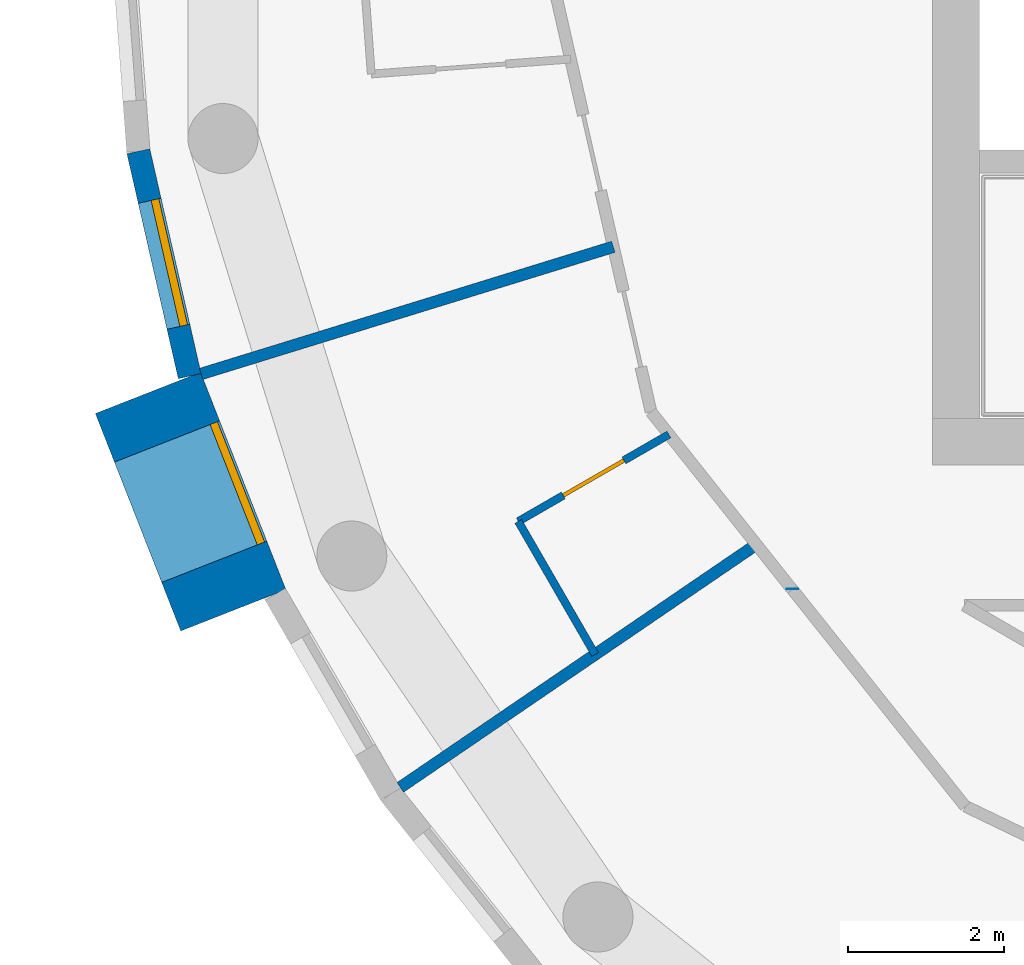
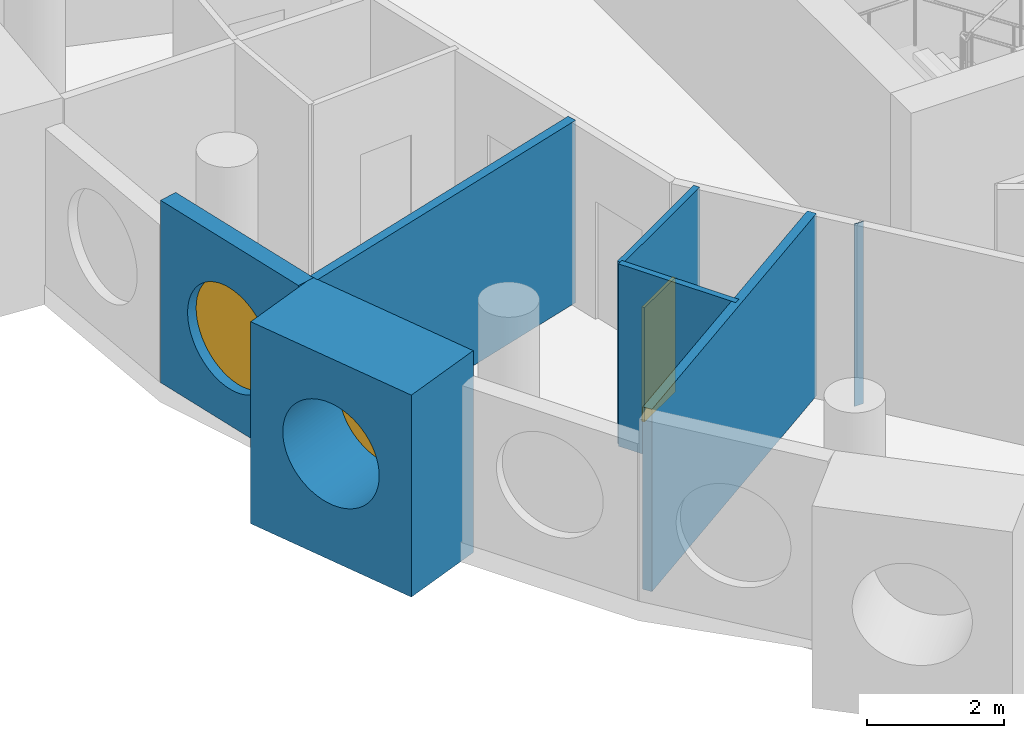
# One storey, part 2 of 12: 7 walls, 2 windows, 1 door, 3 openings.
"""IFC4 building model written with IfcOpenShell, lengths in metres."""

from ifc_helpers import new_model, si_unit, direction, frame, frame_2d, origin, origin_2d, place, context, subcontext, project, spatial, rectangle, circle, extrude, material, layer, layer_set, type_object, element, fill, save


model = new_model("IFC4")

# Units and contexts
model_context = context("Model", 3, precision=1e-05, world=origin(), true_north=direction((0.0, 1.0)))
body_context = subcontext(model_context, "Body", "Model", "MODEL_VIEW")
ifc_project = project(units=[si_unit("LENGTHUNIT", "METRE"), si_unit("AREAUNIT", "SQUARE_METRE"), si_unit("VOLUMEUNIT", "CUBIC_METRE"), si_unit("PLANEANGLEUNIT", "RADIAN"), si_unit("MASSUNIT", "GRAM", prefix="KILO")], contexts=[model_context])

# Site, building, storey
site_placement = place(None, origin())
site = spatial("IfcSite", under=ifc_project, at=site_placement, CompositionType="ELEMENT")
building_placement = place(site_placement, origin())
building = spatial("IfcBuilding", under=site, at=building_placement, Name="Tracery Tower", CompositionType="ELEMENT")
storey_placement = place(building_placement, frame((0.0, 0.0, 305.39990234375)))
storey = spatial("IfcBuildingStorey", under=building, at=storey_placement, Name="L79", CompositionType="ELEMENT", Elevation=305.39990234375)

# Wall, opening, window
ifc_material_1 = material(Name="Precast concrete C50/60", Category="concrete")
ifc_layer_1 = layer(ifc_material_1, 1.449951171875)
ifc_layer_set_1 = layer_set([ifc_layer_1], Name="Deep-set bay unit 3000 x 3600, slab edge 350")
wall_type_1 = type_object("IfcWallType", Name="Deep-set bay unit 3000 x 3600, slab edge 350", PredefinedType="ELEMENTEDWALL", material=ifc_layer_set_1)
wall_1_placement = place(storey_placement, frame((-19.576171875, -6.071533203125, -0.349853515625), z_axis=(0.0, 0.0, 1.0), x_axis=(0.36537792632, -0.93085926485, 0.0)))
wall_1 = element("IfcWall", 1, at=wall_1_placement, inside=storey, type_object=wall_type_1, Name="Deep-set bay unit 24 at L79", PredefinedType="ELEMENTEDWALL", context=body_context, shape_type="SweptSolid", body=[
    extrude(rectangle(XDim=3.000244140625, YDim=1.449951171875, at=frame_2d((1.5, 0.0))), origin(), (0.0, 0.0, 1.0), 3.599853515625),
])
opening_1_placement = place(wall_1_placement, frame((1.5, 0.0, 1.89990234375)))
opening_1 = element("IfcOpeningElement", 2, at=opening_1_placement, cuts=wall_1, Name="Opening WN1", PredefinedType="OPENING", context=body_context, shape_type="SweptSolid", body=[
    extrude(circle(Radius=0.9000244140625, at=origin_2d()), frame((0.0, 0.73486328125, 0.0), z_axis=(0.0, -1.0, 0.0), x_axis=(1.0, 0.0, 0.0)), (0.0, 0.0, 1.0), 1.469970703125),
])
ifc_material_2 = material(Name="Aluminium frame with tinted double glazing", Category="aluminium")
window_type = type_object("IfcWindowType", Name="Round window 1800", PartitioningType="SINGLE_PANEL", PredefinedType="WINDOW", material=ifc_material_2)
window_1_placement = place(opening_1_placement, origin())
window_1 = element("IfcWindow", 3, at=window_1_placement, inside=storey, type_object=window_type, Name="Round window 24 at L79", OverallHeight=1.800048828125, OverallWidth=1.800048828125, PartitioningType="SINGLE_PANEL", PredefinedType="WINDOW", context=body_context, shape_type="SweptSolid", body=[
    extrude(circle(Radius=0.9000244140625, at=origin_2d()), frame((0.0, 0.69482421875, 0.0), z_axis=(0.0, -1.0, 0.0), x_axis=(1.0, 0.0, 0.0)), (0.0, 0.0, 1.0), 0.10009765625),
])
fill(opening_1, window_1)

ifc_material_3 = material(Name="Precast concrete C50/60", Category="concrete")
ifc_layer_2 = layer(ifc_material_3, 0.300048828125)
ifc_layer_set_2 = layer_set([ifc_layer_2], Name="Facade panel 3000 x 3250")
wall_type_2 = type_object("IfcWallType", Name="Facade panel 3000 x 3250", PredefinedType="SOLIDWALL", material=ifc_layer_set_2)
wall_2_placement = place(storey_placement, frame((-19.69921875, -2.96923828125, 0.0), z_axis=(0.0, 0.0, 1.0), x_axis=(0.222529389789, -0.974925982155, 0.0)))
wall_2 = element("IfcWall", 4, at=wall_2_placement, inside=storey, type_object=wall_type_2, Name="Facade panel 23 at L79", PredefinedType="SOLIDWALL", context=body_context, shape_type="SweptSolid", body=[
    extrude(rectangle(XDim=2.962158203125, YDim=0.300048828125, at=frame_2d((1.48095703125, 0.0))), origin(), (0.0, 0.0, 1.0), 3.25),
])
opening_2_placement = place(wall_2_placement, frame((1.48095703125, 0.0, 1.5498046875)))
opening_2 = element("IfcOpeningElement", 5, at=opening_2_placement, cuts=wall_2, Name="Opening WN1", PredefinedType="OPENING", context=body_context, shape_type="SweptSolid", body=[
    extrude(circle(Radius=0.9000244140625, at=origin_2d()), frame((0.0, 0.159912109375, 0.0), z_axis=(0.0, -1.0, 0.0), x_axis=(1.0, 0.0, 0.0)), (0.0, 0.0, 1.0), 0.320068359375),
])
window_2_placement = place(opening_2_placement, origin())
window_2 = element("IfcWindow", 6, at=window_2_placement, inside=storey, type_object=window_type, Name="Round window 23 at L79", OverallHeight=1.800048828125, OverallWidth=1.800048828125, PartitioningType="SINGLE_PANEL", PredefinedType="WINDOW", context=body_context, shape_type="SweptSolid", body=[
    extrude(circle(Radius=0.9000244140625, at=origin_2d()), frame((0.0, 0.1201171875, 0.0), z_axis=(0.0, -1.0, 0.0), x_axis=(1.0, 0.0, 0.0)), (0.0, 0.0, 1.0), 0.10009765625),
])
fill(opening_2, window_2)

# Wall, opening, door
ifc_material_4 = material(Name="Plasterboard on steel studs", Category="steel")
ifc_layer_3 = layer(ifc_material_4, 0.10009765625)
ifc_layer_set_3 = layer_set([ifc_layer_3], Name="Partition 100 wet wall")
wall_type_3 = type_object("IfcWallType", Name="Partition 100 wet wall", PredefinedType="PARTITIONING", material=ifc_layer_set_3)
wall_3_placement = place(storey_placement, frame((-14.820068359375, -7.721923828125, 0.0), z_axis=(0.0, 0.0, 1.0), x_axis=(0.866076416361, 0.499911633214, 0.0)))
wall_3 = element("IfcWall", 7, at=wall_3_placement, inside=storey, type_object=wall_type_3, Name="Wet wall RC8-082", PredefinedType="PARTITIONING", context=body_context, shape_type="SweptSolid", body=[
    extrude(rectangle(XDim=2.234375, YDim=0.10009765625, at=frame_2d((1.1171875, 0.0))), origin(), (0.0, 0.0, 1.0), 3.25),
])
opening_3_placement = place(wall_3_placement, frame((0.667236328125, 0.0, 0.0)))
opening_3 = element("IfcOpeningElement", 8, at=opening_3_placement, cuts=wall_3, Name="Opening RC8-27", PredefinedType="OPENING", context=body_context, shape_type="SweptSolid", body=[
    extrude(rectangle(XDim=0.89990234375, YDim=2.0400390625, at=frame_2d((0.449951171875, 1.02001953125))), frame((0.0, 0.050048828125, 0.0), z_axis=(0.0, -1.0, 0.0), x_axis=(1.0, 0.0, 0.0)), (0.0, 0.0, 1.0), 0.10009765625),
])
ifc_material_5 = material(Name="Timber door leaf", Category="wood")
door_type = type_object("IfcDoorType", Name="Door en-suite 900", OperationType="NOTDEFINED", PredefinedType="DOOR", material=ifc_material_5)
door_placement = place(opening_3_placement, origin())
door = element("IfcDoor", 9, at=door_placement, inside=storey, type_object=door_type, Name="En-suite door RC8-27", OperationType="SINGLE_SWING_LEFT", OverallHeight=2.0400390625, OverallWidth=0.89990234375, PredefinedType="DOOR", context=body_context, shape_type="SweptSolid", body=[
    extrude(rectangle(XDim=0.89990234375, YDim=2.0400390625, at=frame_2d((0.449951171875, 1.02001953125))), frame((0.0, 0.02490234375, 0.0), z_axis=(0.0, -1.0, 0.0), x_axis=(1.0, 0.0, 0.0)), (0.0, 0.0, 1.0), 0.050048828125),
])
fill(opening_3, door)

# Walls
wall_4_placement = place(storey_placement, frame((-14.820068359375, -7.721923828125, 0.0), z_axis=(0.0, 0.0, 1.0), x_axis=(0.500143626598, -0.865942465048, 0.0)))
element("IfcWall", 10, at=wall_4_placement, inside=storey, type_object=wall_type_3, Name="Wet wall RC8-083", PredefinedType="PARTITIONING", context=body_context, shape_type="SweptSolid", body=[
    extrude(rectangle(XDim=1.9736328125, YDim=0.10009765625, at=frame_2d((0.98681640625, 0.0))), origin(), (0.0, 0.0, 1.0), 3.25),
])
ifc_material_6 = material(Name="Plasterboard on steel studs", Category="steel")
ifc_layer_4 = layer(ifc_material_6, 0.14990234375)
ifc_layer_set_4 = layer_set([ifc_layer_4], Name="Partition 150 acoustic unit wall")
wall_type_4 = type_object("IfcWallType", Name="Partition 150 acoustic unit wall", PredefinedType="PARTITIONING", material=ifc_layer_set_4)
wall_5_placement = place(storey_placement, frame((-18.89306640625, -5.827880859375, 0.0), z_axis=(0.0, 0.0, 1.0), x_axis=(0.955580602693, 0.294729896274, 0.0)))
element("IfcWall", 11, at=wall_5_placement, inside=storey, type_object=wall_type_4, Name="Unit wall RC8-081", PredefinedType="PARTITIONING", context=body_context, shape_type="SweptSolid", body=[
    extrude(rectangle(XDim=5.5400390625, YDim=0.14990234375, at=frame_2d((2.77001953125, 0.0))), origin(), (0.0, 0.0, 1.0), 3.25),
])
wall_6_placement = place(storey_placement, frame((-16.3359375, -11.137939453125, 0.0), z_axis=(0.0, 0.0, 1.0), x_axis=(0.82615274451, 0.563446219917, 0.0)))
element("IfcWall", 12, at=wall_6_placement, inside=storey, type_object=wall_type_4, Name="Unit wall RC8-084", PredefinedType="PARTITIONING", context=body_context, shape_type="SweptSolid", body=[
    extrude(rectangle(XDim=5.539794921875, YDim=0.14990234375, at=frame_2d((2.77001953125, 0.0))), origin(), (0.0, 0.0, 1.0), 3.25),
])
ifc_material_7 = material(Name="Plasterboard on steel studs", Category="steel")
ifc_layer_5 = layer(ifc_material_7, 0.14990234375)
ifc_layer_set_5 = layer_set([ifc_layer_5], Name="Partition 150 corridor wall")
wall_type_5 = type_object("IfcWallType", Name="Partition 150 corridor wall", PredefinedType="PARTITIONING", material=ifc_layer_set_5)
wall_7_placement = place(storey_placement, frame((-11.300048828125, -8.59619140625, 0.0), z_axis=(0.0, 0.0, 1.0), x_axis=(0.0, 1.0, 0.0)))
element("IfcWall", 13, at=wall_7_placement, inside=storey, type_object=wall_type_5, Name="Corridor wall RC8-016", PredefinedType="PARTITIONING", context=body_context, shape_type="SweptSolid", body=[
    extrude(rectangle(XDim=0.00927734375, YDim=0.14990234375, at=frame_2d((0.004638671875, 0.0))), origin(), (0.0, 0.0, 1.0), 3.25),
])

save(model, "model.ifc")
